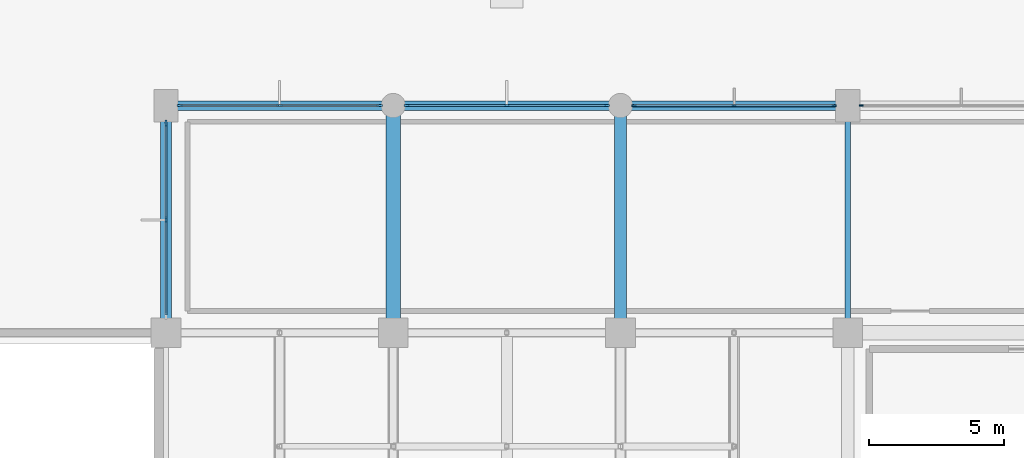
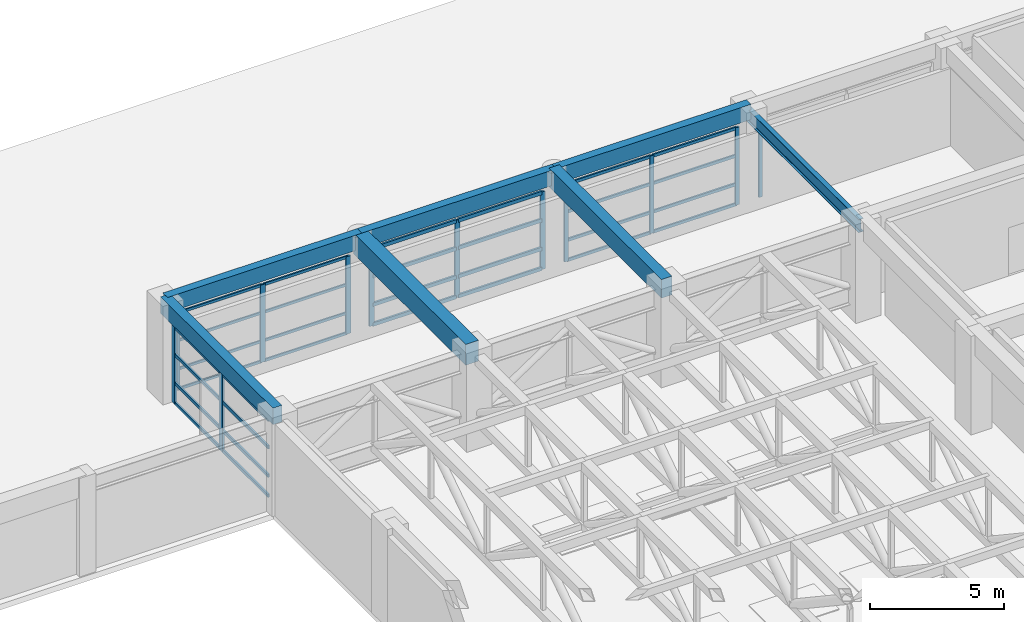
# One storey, part 26 of 47: 44 members, 7 beams, 5 elements without a shape of their own.
"""IFC4 building model written with IfcOpenShell, lengths in metres."""

import ifcopenshell
import ifcopenshell.guid

model = None  # the IFC model being written
_history = None  # IfcOwnerHistory: only IFC2X3 demands one
_inside = {}  # id of a spatial element -> (the spatial element, [elements in it])
_under = {}  # id of a project, library or spatial element -> (it, [spatial elements below it])
_declared = {}  # id of a project -> (the project, [libraries it declares])
_typed = {}  # id of a type object -> (the type object, [elements of that type])
_made_of = {}  # id of a material, layer set ... -> (it, [elements and type objects made of it])


def new_model(schema):
    """Start an empty IFC model of exactly this schema.

    Asked for "IFC4X3", IfcOpenShell would pick the latest addendum, in which some entities
    have other attributes; the version numbers below select the first issue.
    IFC2X3 requires an IfcOwnerHistory on every rooted entity: one is made here for all.
    """
    global model, _history
    if schema == "IFC4X3":
        model = ifcopenshell.file(schema_version=(4, 3, 0, 0))
    else:
        model = ifcopenshell.file(schema=schema)
    _inside.clear()
    _under.clear()
    _declared.clear()
    _typed.clear()
    _made_of.clear()
    _history = None
    if model.schema == "IFC2X3":
        org = make("IfcOrganization", Name="unknown")
        user = make(
            "IfcPersonAndOrganization",
            ThePerson=make("IfcPerson", FamilyName="unknown"),
            TheOrganization=org,
        )
        app = make(
            "IfcApplication",
            ApplicationDeveloper=org,
            Version="unknown",
            ApplicationFullName="unknown",
            ApplicationIdentifier="unknown",
        )
        _history = make(
            "IfcOwnerHistory",
            OwningUser=user,
            OwningApplication=app,
            ChangeAction="ADDED",
            CreationDate=0,
        )
    return model


def make(cls, **values):
    """One entity of the class cls with the attributes given. An attribute that is None is left unset."""
    return model.create_entity(
        cls, **{name: value for name, value in values.items() if value is not None}
    )


def rooted(cls, **values):
    """An entity with a GlobalId (a new one), such as an element, a storey or a relation."""
    return make(cls, GlobalId=ifcopenshell.guid.new(), OwnerHistory=_history, **values)


def si_unit(unit_type, name, prefix=None):
    """IfcSIUnit, for example si_unit("LENGTHUNIT", "METRE", prefix="MILLI")."""
    return make("IfcSIUnit", UnitType=unit_type, Prefix=prefix, Name=name)


def assignment(units):
    """IfcUnitAssignment: the units of a project."""
    return None if units is None else make("IfcUnitAssignment", Units=units)


def point(xyz):
    """IfcCartesianPoint."""
    return None if xyz is None else make("IfcCartesianPoint", Coordinates=xyz)


def direction(xyz):
    """IfcDirection."""
    return None if xyz is None else make("IfcDirection", DirectionRatios=xyz)


def frame(location, z_axis=None, x_axis=None):
    """IfcAxis2Placement3D, a coordinate frame: its origin and axes. An axis left out is left unset."""
    return make(
        "IfcAxis2Placement3D",
        Location=point(location),
        Axis=direction(z_axis),
        RefDirection=direction(x_axis),
    )


def frame_2d(location, x_axis=None):
    """IfcAxis2Placement2D, a coordinate frame in the plane: its origin and x axis."""
    return make(
        "IfcAxis2Placement2D", Location=point(location), RefDirection=direction(x_axis)
    )


def origin():
    """The frame at (0, 0, 0) with its axes left unset."""
    return frame((0.0, 0.0, 0.0))


def origin_2d():
    """The frame at (0, 0) in the plane with its x axis left unset."""
    return frame_2d((0.0, 0.0))


def place(relative_to, where):
    """IfcLocalPlacement: puts the frame where relative to a parent placement (None: the world)."""
    return make(
        "IfcLocalPlacement", PlacementRelTo=relative_to, RelativePlacement=where
    )


def context(
    kind, dimensions, precision=None, world=None, true_north=None, identifier=None
):
    """IfcGeometricRepresentationContext, for example the 3D "Model" context."""
    return make(
        "IfcGeometricRepresentationContext",
        ContextIdentifier=identifier,
        ContextType=kind,
        CoordinateSpaceDimension=dimensions,
        Precision=precision,
        WorldCoordinateSystem=world,
        TrueNorth=true_north,
    )


def subcontext(parent, identifier, kind, view, scale=None):
    """IfcGeometricRepresentationSubContext, for example "Body" below "Model"."""
    return make(
        "IfcGeometricRepresentationSubContext",
        ContextIdentifier=identifier,
        ContextType=kind,
        ParentContext=parent,
        TargetScale=scale,
        TargetView=view,
    )


def project(units=None, contexts=None):
    """IfcProject with its units and contexts."""
    return rooted(
        "IfcProject",
        Name="project",
        RepresentationContexts=contexts,
        UnitsInContext=assignment(units),
    )


def spatial(cls, under=None, at=None, **own):
    """A site, building, storey or space (cls), placed at a placement, below another one or the project."""
    s = rooted(cls, ObjectPlacement=at, **own)
    if under is not None:
        _under.setdefault(under.id(), (under, []))[1].append(s)
    return s


def profile(cls, at=None, kind="AREA", **sizes):
    """A parametric profile (cls). Its sizes go by their IFC names, for example OverallWidth=200.0."""
    return make(cls, ProfileType=kind, Position=at, **sizes)


def rectangle(**sizes):
    """IfcRectangleProfileDef."""
    return profile("IfcRectangleProfileDef", **sizes)


def i_section(**sizes):
    """IfcIShapeProfileDef."""
    return profile("IfcIShapeProfileDef", **sizes)


def extrude(swept, where, along, depth):
    """IfcExtrudedAreaSolid: the profile swept, set in the frame where, extruded along a direction by depth."""
    return make(
        "IfcExtrudedAreaSolid",
        SweptArea=swept,
        Position=where,
        ExtrudedDirection=direction(along),
        Depth=depth,
    )


def shape(context_of_items, identifier, shape_type, items):
    """IfcShapeRepresentation: the items that make up one representation, for example the "Body"."""
    return make(
        "IfcShapeRepresentation",
        ContextOfItems=context_of_items,
        RepresentationIdentifier=identifier,
        RepresentationType=shape_type,
        Items=items,
    )


def material(Name=None, Category=None):
    """IfcMaterial."""
    return make("IfcMaterial", Name=Name, Category=Category)


def material_profile(
    of_material, cross_section, Name=None, Category=None, Priority=None
):
    """IfcMaterialProfile: a cross section and its material."""
    return make(
        "IfcMaterialProfile",
        Name=Name,
        Material=of_material,
        Profile=cross_section,
        Priority=Priority,
        Category=Category,
    )


def profile_set(profiles, Name=None, composite=None):
    """IfcMaterialProfileSet."""
    return make(
        "IfcMaterialProfileSet",
        Name=Name,
        MaterialProfiles=profiles,
        CompositeProfile=composite,
    )


def made_of(thing, what):
    """Note that an element or type object is made of a material, layer set ...; save() writes the relation."""
    if what is not None:
        _made_of.setdefault(what.id(), (what, []))[1].append(thing)
    return thing


def type_object(cls, material=None, **own):
    """A type object (cls), such as IfcWallType, which elements share."""
    return made_of(rooted(cls, **own), material)


def element(
    cls,
    number,
    at=None,
    inside=None,
    cuts=None,
    type_object=None,
    material=None,
    context=None,
    identifier="Body",
    shape_type=None,
    held_by="IfcProductDefinitionShape",
    body=None,
    shapes=None,
    **own,
):
    """One element of the class cls, such as IfcWall. Its Tag is "e" and its number.

    at: its placement. inside: the storey or other place that contains it. cuts: it is an
    opening in that element (IfcRelVoidsElement). A single representation is given by context,
    identifier, shape_type and body (its items); several are given by shapes. held_by: the class
    of the entity that holds the representations. save() writes the other relations.
    """
    e = rooted(cls, Tag="e%d" % number, ObjectPlacement=at, **own)
    if body is not None:
        shapes = [shape(context, identifier, shape_type, body)]
    if shapes is not None:
        e.Representation = make(held_by, Representations=shapes)
    if inside is not None:
        _inside.setdefault(inside.id(), (inside, []))[1].append(e)
    if cuts is not None:
        rooted(
            "IfcRelVoidsElement", RelatingBuildingElement=cuts, RelatedOpeningElement=e
        )
    if type_object is not None:
        _typed.setdefault(type_object.id(), (type_object, []))[1].append(e)
    return made_of(e, material)


def aggregate(whole, parts):
    """IfcRelAggregates: a whole, such as a stair, and the parts it consists of."""
    return rooted("IfcRelAggregates", RelatingObject=whole, RelatedObjects=parts)


def save(model, path):
    """Write the relations noted so far, then the file.

    IfcRelAggregates (storeys below a building ...), IfcRelContainedInSpatialStructure (elements
    in a storey), IfcRelDefinesByType, IfcRelAssociatesMaterial and IfcRelDeclares: one each for
    every whole, place, type object, material and project.
    """
    for whole, parts in _under.values():
        aggregate(whole, parts)
    for where, things in _inside.values():
        rooted(
            "IfcRelContainedInSpatialStructure",
            RelatedElements=things,
            RelatingStructure=where,
        )
    for kind, things in _typed.values():
        rooted("IfcRelDefinesByType", RelatedObjects=things, RelatingType=kind)
    for what, things in _made_of.values():
        rooted("IfcRelAssociatesMaterial", RelatedObjects=things, RelatingMaterial=what)
    for by, libraries in _declared.values():
        rooted("IfcRelDeclares", RelatingContext=by, RelatedDefinitions=libraries)
    model.write(path)


model = new_model("IFC4")

# Units and contexts
model_context = context("Model", 3, precision=1e-05, world=origin(), true_north=direction((0.0, 1.0)))
body_context = subcontext(model_context, "Body", "Model", "MODEL_VIEW")
ifc_project = project(units=[si_unit("LENGTHUNIT", "METRE"), si_unit("AREAUNIT", "SQUARE_METRE"), si_unit("VOLUMEUNIT", "CUBIC_METRE"), si_unit("PLANEANGLEUNIT", "RADIAN"), si_unit("MASSUNIT", "GRAM", prefix="KILO")], contexts=[model_context])

# Site, building, storey
site_placement = place(None, origin())
site = spatial("IfcSite", under=ifc_project, at=site_placement, CompositionType="ELEMENT")
building_placement = place(site_placement, origin())
building = spatial("IfcBuilding", under=site, at=building_placement, Name="Xuanlan Plaza Opera House", CompositionType="ELEMENT")
storey_placement = place(building_placement, frame((0.0, 0.0, 23.39990234375)))
storey = spatial("IfcBuildingStorey", under=building, at=storey_placement, Name="L05", CompositionType="ELEMENT", Elevation=23.39990234375)

# Curtain wall, member
ifc_material_1 = material(Name="Anodised Aluminium 6063-T6 and Low-E Glass", Category="aluminium")
curtain_wall_type_1 = type_object("IfcCurtainWallType", Name="ENV-CW-CW-06", PredefinedType="USERDEFINED", material=ifc_material_1)
curtain_wall_1_placement = place(storey_placement, origin())
curtain_wall_1 = element("IfcCurtainWall", 1, at=curtain_wall_1_placement, inside=storey, type_object=curtain_wall_type_1, Name="Acoustic Glazed Wall L05-029", ObjectType="ACOUSTIC GLAZED WALL", PredefinedType="USERDEFINED")
ifc_material_2 = material(Name="Anodised Aluminium 6063-T6", Category="aluminium")
ifc_material_profile_1 = material_profile(ifc_material_2, rectangle(XDim=0.06494140625, YDim=0.159912109375, at=origin_2d()), Name="ALU-M 65x160")
ifc_profile_set_1 = profile_set([ifc_material_profile_1], Name="Anodised Aluminium 6063-T6")
member_type_1 = type_object("IfcMemberType", Name="ENV-CWM-01", PredefinedType="MULLION", material=ifc_profile_set_1)
member_1_placement = place(storey_placement, frame((92.902587890625, 84.0, 0.0), z_axis=(0.0, 0.0, 1.0), x_axis=(0.0, -1.0, 0.0)))
member_1 = element("IfcMember", 2, at=member_1_placement, type_object=member_type_1, Name="CW-06 mullion 3", PredefinedType="MULLION", context=body_context, shape_type="SweptSolid", body=[
    extrude(rectangle(XDim=0.06494140625, YDim=0.159912109375, at=origin_2d()), origin(), (0.0, 0.0, 1.0), 3.5400390625),
])
aggregate(curtain_wall_1, [member_1])

# Curtain wall, members
curtain_wall_type_2 = type_object("IfcCurtainWallType", Name="ENV-CW-CW-05", PredefinedType="USERDEFINED", material=ifc_material_1)
curtain_wall_2_placement = place(storey_placement, origin())
curtain_wall_2 = element("IfcCurtainWall", 3, at=curtain_wall_2_placement, inside=storey, type_object=curtain_wall_type_2, Name="Acoustic Glazed Wall L05-030", ObjectType="ACOUSTIC GLAZED WALL", PredefinedType="USERDEFINED")
ifc_material_profile_2 = material_profile(ifc_material_2, rectangle(XDim=0.070068359375, YDim=0.179931640625, at=origin_2d()), Name="ALU-M 70x180")
ifc_profile_set_2 = profile_set([ifc_material_profile_2], Name="Anodised Aluminium 6063-T6")
member_type_2 = type_object("IfcMemberType", Name="ENV-CWM-02", PredefinedType="MULLION", material=ifc_profile_set_2)
member_2_placement = place(storey_placement, frame((91.89501953125, 84.0, 0.0), z_axis=(0.0, 0.0, 1.0), x_axis=(0.0, -1.0, 0.0)))
member_2 = element("IfcMember", 4, at=member_2_placement, type_object=member_type_2, Name="CW-05 mullion 1", PredefinedType="MULLION", context=body_context, shape_type="SweptSolid", body=[
    extrude(rectangle(XDim=0.070068359375, YDim=0.179931640625, at=origin_2d()), origin(), (0.0, 0.0, 1.0), 3.5400390625),
])
member_3_placement = place(storey_placement, frame((88.199951171875, 84.0, 0.0), z_axis=(0.0, 0.0, 1.0), x_axis=(0.0, -1.0, 0.0)))
member_3 = element("IfcMember", 5, at=member_3_placement, type_object=member_type_2, Name="CW-05 mullion 2", PredefinedType="MULLION", context=body_context, shape_type="SweptSolid", body=[
    extrude(rectangle(XDim=0.070068359375, YDim=0.179931640625, at=origin_2d()), origin(), (0.0, 0.0, 1.0), 3.5400390625),
])
member_4_placement = place(storey_placement, frame((84.5048828125, 84.0, 0.0), z_axis=(0.0, 0.0, 1.0), x_axis=(0.0, -1.0, 0.0)))
member_4 = element("IfcMember", 6, at=member_4_placement, type_object=member_type_2, Name="CW-05 mullion 3", PredefinedType="MULLION", context=body_context, shape_type="SweptSolid", body=[
    extrude(rectangle(XDim=0.070068359375, YDim=0.179931640625, at=origin_2d()), origin(), (0.0, 0.0, 1.0), 3.5400390625),
])

curtain_wall_3_placement = place(storey_placement, origin())
curtain_wall_3 = element("IfcCurtainWall", 7, at=curtain_wall_3_placement, inside=storey, type_object=curtain_wall_type_1, Name="Acoustic Glazed Wall L05-031", ObjectType="ACOUSTIC GLAZED WALL", PredefinedType="USERDEFINED")
ifc_material_profile_3 = material_profile(ifc_material_2, rectangle(XDim=0.074951171875, YDim=0.199951171875, at=origin_2d()), Name="ALU-M 75x200")
ifc_profile_set_3 = profile_set([ifc_material_profile_3], Name="Anodised Aluminium 6063-T6")
member_type_3 = type_object("IfcMemberType", Name="ENV-CWM-03", PredefinedType="MULLION", material=ifc_profile_set_3)
member_5_placement = place(storey_placement, frame((83.492431640625, 84.0, 0.0), z_axis=(0.0, 0.0, 1.0), x_axis=(0.0, -1.0, 0.0)))
member_5 = element("IfcMember", 8, at=member_5_placement, type_object=member_type_3, Name="CW-06 mullion 1", PredefinedType="MULLION", context=body_context, shape_type="SweptSolid", body=[
    extrude(rectangle(XDim=0.074951171875, YDim=0.199951171875, at=origin_2d()), origin(), (0.0, 0.0, 1.0), 3.5400390625),
])
member_6_placement = place(storey_placement, frame((79.800048828125, 84.0, 0.0), z_axis=(0.0, 0.0, 1.0), x_axis=(0.0, -1.0, 0.0)))
member_6 = element("IfcMember", 9, at=member_6_placement, type_object=member_type_3, Name="CW-06 mullion 2", PredefinedType="MULLION", context=body_context, shape_type="SweptSolid", body=[
    extrude(rectangle(XDim=0.074951171875, YDim=0.199951171875, at=origin_2d()), origin(), (0.0, 0.0, 1.0), 3.5400390625),
])
member_7_placement = place(storey_placement, frame((76.107421875, 84.0, 0.0), z_axis=(0.0, 0.0, 1.0), x_axis=(0.0, -1.0, 0.0)))
member_7 = element("IfcMember", 10, at=member_7_placement, type_object=member_type_3, Name="CW-06 mullion 3", PredefinedType="MULLION", context=body_context, shape_type="SweptSolid", body=[
    extrude(rectangle(XDim=0.074951171875, YDim=0.199951171875, at=origin_2d()), origin(), (0.0, 0.0, 1.0), 3.5400390625),
])

curtain_wall_4_placement = place(storey_placement, origin())
curtain_wall_4 = element("IfcCurtainWall", 11, at=curtain_wall_4_placement, inside=storey, type_object=curtain_wall_type_2, Name="Acoustic Glazed Wall L05-032", ObjectType="ACOUSTIC GLAZED WALL", PredefinedType="USERDEFINED")
ifc_material_profile_4 = material_profile(ifc_material_2, rectangle(XDim=0.080078125, YDim=0.219970703125, at=origin_2d()), Name="ALU-M 80x220")
ifc_profile_set_4 = profile_set([ifc_material_profile_4], Name="Anodised Aluminium 6063-T6")
member_type_4 = type_object("IfcMemberType", Name="ENV-CWM-04", PredefinedType="MULLION", material=ifc_profile_set_4)
member_8_placement = place(storey_placement, frame((75.090087890625, 84.0, 0.0), z_axis=(0.0, 0.0, 1.0), x_axis=(0.0, -1.0, 0.0)))
member_8 = element("IfcMember", 12, at=member_8_placement, type_object=member_type_4, Name="CW-05 mullion 1", PredefinedType="MULLION", context=body_context, shape_type="SweptSolid", body=[
    extrude(rectangle(XDim=0.080078125, YDim=0.219970703125, at=origin_2d()), origin(), (0.0, 0.0, 1.0), 3.5400390625),
])
member_9_placement = place(storey_placement, frame((71.39990234375, 84.0, 0.0), z_axis=(0.0, 0.0, 1.0), x_axis=(0.0, -1.0, 0.0)))
member_9 = element("IfcMember", 13, at=member_9_placement, type_object=member_type_4, Name="CW-05 mullion 2", PredefinedType="MULLION", context=body_context, shape_type="SweptSolid", body=[
    extrude(rectangle(XDim=0.080078125, YDim=0.219970703125, at=origin_2d()), origin(), (0.0, 0.0, 1.0), 3.5400390625),
])
member_10_placement = place(storey_placement, frame((67.7099609375, 84.0, 0.0), z_axis=(0.0, 0.0, 1.0), x_axis=(0.0, -1.0, 0.0)))
member_10 = element("IfcMember", 14, at=member_10_placement, type_object=member_type_4, Name="CW-05 mullion 3", PredefinedType="MULLION", context=body_context, shape_type="SweptSolid", body=[
    extrude(rectangle(XDim=0.080078125, YDim=0.219970703125, at=origin_2d()), origin(), (0.0, 0.0, 1.0), 3.5400390625),
])

curtain_wall_5_placement = place(storey_placement, origin())
curtain_wall_5 = element("IfcCurtainWall", 15, at=curtain_wall_5_placement, inside=storey, type_object=curtain_wall_type_1, Name="Acoustic Glazed Wall L05-033", ObjectType="ACOUSTIC GLAZED WALL", PredefinedType="USERDEFINED")
ifc_material_profile_5 = material_profile(ifc_material_2, rectangle(XDim=0.090087890625, YDim=0.25, at=origin_2d()), Name="ALU-M 90x250")
ifc_profile_set_5 = profile_set([ifc_material_profile_5], Name="Anodised Aluminium 6063-T6")
member_type_5 = type_object("IfcMemberType", Name="ENV-CWM-05", PredefinedType="MULLION", material=ifc_profile_set_5)
member_11_placement = place(storey_placement, frame((67.199951171875, 83.3349609375, 0.0), z_axis=(0.0, 0.0, 1.0), x_axis=(1.0, 0.0, 0.0)))
member_11 = element("IfcMember", 16, at=member_11_placement, type_object=member_type_5, Name="CW-06 mullion 1", PredefinedType="MULLION", context=body_context, shape_type="SweptSolid", body=[
    extrude(rectangle(XDim=0.090087890625, YDim=0.25, at=origin_2d()), origin(), (0.0, 0.0, 1.0), 3.5400390625),
])
member_12_placement = place(storey_placement, frame((67.199951171875, 79.77490234375, 0.0), z_axis=(0.0, 0.0, 1.0), x_axis=(1.0, 0.0, 0.0)))
member_12 = element("IfcMember", 17, at=member_12_placement, type_object=member_type_5, Name="CW-06 mullion 2", PredefinedType="MULLION", context=body_context, shape_type="SweptSolid", body=[
    extrude(rectangle(XDim=0.090087890625, YDim=0.25, at=origin_2d()), origin(), (0.0, 0.0, 1.0), 3.5400390625),
])

# Member
ifc_material_profile_6 = material_profile(ifc_material_2, rectangle(XDim=0.06494140625, YDim=0.1201171875, at=origin_2d()), Name="ALU-T 65x120")
ifc_profile_set_6 = profile_set([ifc_material_profile_6], Name="Anodised Aluminium 6063-T6")
member_type_6 = type_object("IfcMemberType", Name="ENV-CWT-01", PredefinedType="USERDEFINED", material=ifc_profile_set_6)
member_13_placement = place(storey_placement, frame((75.050048828125, 84.0, 0.03271484375), z_axis=(-1.0, 0.0, 0.0), x_axis=(0.0, -1.0, 0.0)))
member_13 = element("IfcMember", 18, at=member_13_placement, type_object=member_type_6, Name="CW-05 transom 1.1", ObjectType="TRANSOM", PredefinedType="USERDEFINED", context=body_context, shape_type="SweptSolid", body=[
    extrude(rectangle(XDim=0.06494140625, YDim=0.1201171875, at=origin_2d()), origin(), (0.0, 0.0, 1.0), 3.610107421875),
])

member_14_placement = place(storey_placement, frame((75.050048828125, 84.0, 0.9501953125), z_axis=(-1.0, 0.0, 0.0), x_axis=(0.0, -1.0, 0.0)))
member_14 = element("IfcMember", 19, at=member_14_placement, type_object=member_type_6, Name="CW-05 transom 1.2", ObjectType="TRANSOM", PredefinedType="USERDEFINED", context=body_context, shape_type="SweptSolid", body=[
    extrude(rectangle(XDim=0.06494140625, YDim=0.1201171875, at=origin_2d()), origin(), (0.0, 0.0, 1.0), 3.610107421875),
])

member_15_placement = place(storey_placement, frame((75.050048828125, 84.0, 2.25), z_axis=(-1.0, 0.0, 0.0), x_axis=(0.0, -1.0, 0.0)))
member_15 = element("IfcMember", 20, at=member_15_placement, type_object=member_type_6, Name="CW-05 transom 1.3", ObjectType="TRANSOM", PredefinedType="USERDEFINED", context=body_context, shape_type="SweptSolid", body=[
    extrude(rectangle(XDim=0.06494140625, YDim=0.1201171875, at=origin_2d()), origin(), (0.0, 0.0, 1.0), 3.610107421875),
])

member_16_placement = place(storey_placement, frame((75.050048828125, 84.0, 3.507568359375), z_axis=(-1.0, 0.0, 0.0), x_axis=(0.0, -1.0, 0.0)))
member_16 = element("IfcMember", 21, at=member_16_placement, type_object=member_type_6, Name="CW-05 transom 1.4", ObjectType="TRANSOM", PredefinedType="USERDEFINED", context=body_context, shape_type="SweptSolid", body=[
    extrude(rectangle(XDim=0.06494140625, YDim=0.1201171875, at=origin_2d()), origin(), (0.0, 0.0, 1.0), 3.610107421875),
])

member_17_placement = place(storey_placement, frame((71.360107421875, 84.0, 0.03271484375), z_axis=(-1.0, 0.0, 0.0), x_axis=(0.0, -1.0, 0.0)))
member_17 = element("IfcMember", 22, at=member_17_placement, type_object=member_type_6, Name="CW-05 transom 2.1", ObjectType="TRANSOM", PredefinedType="USERDEFINED", context=body_context, shape_type="SweptSolid", body=[
    extrude(rectangle(XDim=0.06494140625, YDim=0.1201171875, at=origin_2d()), origin(), (0.0, 0.0, 1.0), 3.610107421875),
])

member_18_placement = place(storey_placement, frame((71.360107421875, 84.0, 0.9501953125), z_axis=(-1.0, 0.0, 0.0), x_axis=(0.0, -1.0, 0.0)))
member_18 = element("IfcMember", 23, at=member_18_placement, type_object=member_type_6, Name="CW-05 transom 2.2", ObjectType="TRANSOM", PredefinedType="USERDEFINED", context=body_context, shape_type="SweptSolid", body=[
    extrude(rectangle(XDim=0.06494140625, YDim=0.1201171875, at=origin_2d()), origin(), (0.0, 0.0, 1.0), 3.610107421875),
])

member_19_placement = place(storey_placement, frame((71.360107421875, 84.0, 2.25), z_axis=(-1.0, 0.0, 0.0), x_axis=(0.0, -1.0, 0.0)))
member_19 = element("IfcMember", 24, at=member_19_placement, type_object=member_type_6, Name="CW-05 transom 2.3", ObjectType="TRANSOM", PredefinedType="USERDEFINED", context=body_context, shape_type="SweptSolid", body=[
    extrude(rectangle(XDim=0.06494140625, YDim=0.1201171875, at=origin_2d()), origin(), (0.0, 0.0, 1.0), 3.610107421875),
])

member_20_placement = place(storey_placement, frame((71.360107421875, 84.0, 3.507568359375), z_axis=(-1.0, 0.0, 0.0), x_axis=(0.0, -1.0, 0.0)))
member_20 = element("IfcMember", 25, at=member_20_placement, type_object=member_type_6, Name="CW-05 transom 2.4", ObjectType="TRANSOM", PredefinedType="USERDEFINED", context=body_context, shape_type="SweptSolid", body=[
    extrude(rectangle(XDim=0.06494140625, YDim=0.1201171875, at=origin_2d()), origin(), (0.0, 0.0, 1.0), 3.610107421875),
])

aggregate(curtain_wall_4, [member_8, member_9, member_10, member_13, member_14, member_15, member_16, member_17, member_18, member_19, member_20])

ifc_material_profile_7 = material_profile(ifc_material_2, rectangle(XDim=0.070068359375, YDim=0.135009765625, at=origin_2d()), Name="ALU-T 70x135")
ifc_profile_set_7 = profile_set([ifc_material_profile_7], Name="Anodised Aluminium 6063-T6")
member_type_7 = type_object("IfcMemberType", Name="ENV-CWT-02", PredefinedType="USERDEFINED", material=ifc_profile_set_7)
member_21_placement = place(storey_placement, frame((91.860107421875, 84.0, 0.03515625), z_axis=(-1.0, 0.0, 0.0), x_axis=(0.0, -1.0, 0.0)))
member_21 = element("IfcMember", 26, at=member_21_placement, type_object=member_type_7, Name="CW-05 transom 1.1", ObjectType="TRANSOM", PredefinedType="USERDEFINED", context=body_context, shape_type="SweptSolid", body=[
    extrude(rectangle(XDim=0.070068359375, YDim=0.135009765625, at=origin_2d()), origin(), (0.0, 0.0, 1.0), 3.625),
])

member_22_placement = place(storey_placement, frame((91.860107421875, 84.0, 0.9501953125), z_axis=(-1.0, 0.0, 0.0), x_axis=(0.0, -1.0, 0.0)))
member_22 = element("IfcMember", 27, at=member_22_placement, type_object=member_type_7, Name="CW-05 transom 1.2", ObjectType="TRANSOM", PredefinedType="USERDEFINED", context=body_context, shape_type="SweptSolid", body=[
    extrude(rectangle(XDim=0.070068359375, YDim=0.135009765625, at=origin_2d()), origin(), (0.0, 0.0, 1.0), 3.625),
])

member_23_placement = place(storey_placement, frame((91.860107421875, 84.0, 2.25), z_axis=(-1.0, 0.0, 0.0), x_axis=(0.0, -1.0, 0.0)))
member_23 = element("IfcMember", 28, at=member_23_placement, type_object=member_type_7, Name="CW-05 transom 1.3", ObjectType="TRANSOM", PredefinedType="USERDEFINED", context=body_context, shape_type="SweptSolid", body=[
    extrude(rectangle(XDim=0.070068359375, YDim=0.135009765625, at=origin_2d()), origin(), (0.0, 0.0, 1.0), 3.625),
])

member_24_placement = place(storey_placement, frame((91.860107421875, 84.0, 3.505126953125), z_axis=(-1.0, 0.0, 0.0), x_axis=(0.0, -1.0, 0.0)))
member_24 = element("IfcMember", 29, at=member_24_placement, type_object=member_type_7, Name="CW-05 transom 1.4", ObjectType="TRANSOM", PredefinedType="USERDEFINED", context=body_context, shape_type="SweptSolid", body=[
    extrude(rectangle(XDim=0.070068359375, YDim=0.135009765625, at=origin_2d()), origin(), (0.0, 0.0, 1.0), 3.625),
])

member_25_placement = place(storey_placement, frame((88.1650390625, 84.0, 0.03515625), z_axis=(-1.0, 0.0, 0.0), x_axis=(0.0, -1.0, 0.0)))
member_25 = element("IfcMember", 30, at=member_25_placement, type_object=member_type_7, Name="CW-05 transom 2.1", ObjectType="TRANSOM", PredefinedType="USERDEFINED", context=body_context, shape_type="SweptSolid", body=[
    extrude(rectangle(XDim=0.070068359375, YDim=0.135009765625, at=origin_2d()), origin(), (0.0, 0.0, 1.0), 3.625),
])

member_26_placement = place(storey_placement, frame((88.1650390625, 84.0, 0.9501953125), z_axis=(-1.0, 0.0, 0.0), x_axis=(0.0, -1.0, 0.0)))
member_26 = element("IfcMember", 31, at=member_26_placement, type_object=member_type_7, Name="CW-05 transom 2.2", ObjectType="TRANSOM", PredefinedType="USERDEFINED", context=body_context, shape_type="SweptSolid", body=[
    extrude(rectangle(XDim=0.070068359375, YDim=0.135009765625, at=origin_2d()), origin(), (0.0, 0.0, 1.0), 3.625),
])

member_27_placement = place(storey_placement, frame((88.1650390625, 84.0, 2.25), z_axis=(-1.0, 0.0, 0.0), x_axis=(0.0, -1.0, 0.0)))
member_27 = element("IfcMember", 32, at=member_27_placement, type_object=member_type_7, Name="CW-05 transom 2.3", ObjectType="TRANSOM", PredefinedType="USERDEFINED", context=body_context, shape_type="SweptSolid", body=[
    extrude(rectangle(XDim=0.070068359375, YDim=0.135009765625, at=origin_2d()), origin(), (0.0, 0.0, 1.0), 3.625),
])

member_28_placement = place(storey_placement, frame((88.1650390625, 84.0, 3.505126953125), z_axis=(-1.0, 0.0, 0.0), x_axis=(0.0, -1.0, 0.0)))
member_28 = element("IfcMember", 33, at=member_28_placement, type_object=member_type_7, Name="CW-05 transom 2.4", ObjectType="TRANSOM", PredefinedType="USERDEFINED", context=body_context, shape_type="SweptSolid", body=[
    extrude(rectangle(XDim=0.070068359375, YDim=0.135009765625, at=origin_2d()), origin(), (0.0, 0.0, 1.0), 3.625),
])

aggregate(curtain_wall_2, [member_2, member_3, member_4, member_21, member_22, member_23, member_24, member_25, member_26, member_27, member_28])

ifc_material_profile_8 = material_profile(ifc_material_2, rectangle(XDim=0.074951171875, YDim=0.14990234375, at=origin_2d()), Name="ALU-T 75x150")
ifc_profile_set_8 = profile_set([ifc_material_profile_8], Name="Anodised Aluminium 6063-T6")
member_type_8 = type_object("IfcMemberType", Name="ENV-CWT-03", PredefinedType="USERDEFINED", material=ifc_profile_set_8)
member_29_placement = place(storey_placement, frame((67.199951171875, 83.2900390625, 0.03759765625), z_axis=(0.0, -1.0, 0.0), x_axis=(1.0, 0.0, 0.0)))
member_29 = element("IfcMember", 34, at=member_29_placement, type_object=member_type_8, Name="CW-06 transom 1.1", ObjectType="TRANSOM", PredefinedType="USERDEFINED", context=body_context, shape_type="SweptSolid", body=[
    extrude(rectangle(XDim=0.074951171875, YDim=0.14990234375, at=origin_2d()), origin(), (0.0, 0.0, 1.0), 3.469970703125),
])

member_30_placement = place(storey_placement, frame((67.199951171875, 83.2900390625, 0.9501953125), z_axis=(0.0, -1.0, 0.0), x_axis=(1.0, 0.0, 0.0)))
member_30 = element("IfcMember", 35, at=member_30_placement, type_object=member_type_8, Name="CW-06 transom 1.2", ObjectType="TRANSOM", PredefinedType="USERDEFINED", context=body_context, shape_type="SweptSolid", body=[
    extrude(rectangle(XDim=0.074951171875, YDim=0.14990234375, at=origin_2d()), origin(), (0.0, 0.0, 1.0), 3.469970703125),
])

member_31_placement = place(storey_placement, frame((67.199951171875, 83.2900390625, 2.25), z_axis=(0.0, -1.0, 0.0), x_axis=(1.0, 0.0, 0.0)))
member_31 = element("IfcMember", 36, at=member_31_placement, type_object=member_type_8, Name="CW-06 transom 1.3", ObjectType="TRANSOM", PredefinedType="USERDEFINED", context=body_context, shape_type="SweptSolid", body=[
    extrude(rectangle(XDim=0.074951171875, YDim=0.14990234375, at=origin_2d()), origin(), (0.0, 0.0, 1.0), 3.469970703125),
])

member_32_placement = place(storey_placement, frame((67.199951171875, 83.2900390625, 3.502685546875), z_axis=(0.0, -1.0, 0.0), x_axis=(1.0, 0.0, 0.0)))
member_32 = element("IfcMember", 37, at=member_32_placement, type_object=member_type_8, Name="CW-06 transom 1.4", ObjectType="TRANSOM", PredefinedType="USERDEFINED", context=body_context, shape_type="SweptSolid", body=[
    extrude(rectangle(XDim=0.074951171875, YDim=0.14990234375, at=origin_2d()), origin(), (0.0, 0.0, 1.0), 3.469970703125),
])

member_33_placement = place(storey_placement, frame((67.199951171875, 79.72998046875, 0.03759765625), z_axis=(0.0, -1.0, 0.0), x_axis=(1.0, 0.0, 0.0)))
member_33 = element("IfcMember", 38, at=member_33_placement, type_object=member_type_8, Name="CW-06 transom 2.1", ObjectType="TRANSOM", PredefinedType="USERDEFINED", context=body_context, shape_type="SweptSolid", body=[
    extrude(rectangle(XDim=0.074951171875, YDim=0.14990234375, at=origin_2d()), origin(), (0.0, 0.0, 1.0), 3.469970703125),
])

member_34_placement = place(storey_placement, frame((67.199951171875, 79.72998046875, 0.9501953125), z_axis=(0.0, -1.0, 0.0), x_axis=(1.0, 0.0, 0.0)))
member_34 = element("IfcMember", 39, at=member_34_placement, type_object=member_type_8, Name="CW-06 transom 2.2", ObjectType="TRANSOM", PredefinedType="USERDEFINED", context=body_context, shape_type="SweptSolid", body=[
    extrude(rectangle(XDim=0.074951171875, YDim=0.14990234375, at=origin_2d()), origin(), (0.0, 0.0, 1.0), 3.469970703125),
])

member_35_placement = place(storey_placement, frame((67.199951171875, 79.72998046875, 2.25), z_axis=(0.0, -1.0, 0.0), x_axis=(1.0, 0.0, 0.0)))
member_35 = element("IfcMember", 40, at=member_35_placement, type_object=member_type_8, Name="CW-06 transom 2.3", ObjectType="TRANSOM", PredefinedType="USERDEFINED", context=body_context, shape_type="SweptSolid", body=[
    extrude(rectangle(XDim=0.074951171875, YDim=0.14990234375, at=origin_2d()), origin(), (0.0, 0.0, 1.0), 3.469970703125),
])

member_36_placement = place(storey_placement, frame((67.199951171875, 79.72998046875, 3.502685546875), z_axis=(0.0, -1.0, 0.0), x_axis=(1.0, 0.0, 0.0)))
member_36 = element("IfcMember", 41, at=member_36_placement, type_object=member_type_8, Name="CW-06 transom 2.4", ObjectType="TRANSOM", PredefinedType="USERDEFINED", context=body_context, shape_type="SweptSolid", body=[
    extrude(rectangle(XDim=0.074951171875, YDim=0.14990234375, at=origin_2d()), origin(), (0.0, 0.0, 1.0), 3.469970703125),
])

aggregate(curtain_wall_5, [member_11, member_12, member_29, member_30, member_31, member_32, member_33, member_34, member_35, member_36])

ifc_material_profile_9 = material_profile(ifc_material_2, rectangle(XDim=0.080078125, YDim=0.1650390625, at=origin_2d()), Name="ALU-T 80x165")
ifc_profile_set_9 = profile_set([ifc_material_profile_9], Name="Anodised Aluminium 6063-T6")
member_type_9 = type_object("IfcMemberType", Name="ENV-CWT-04", PredefinedType="USERDEFINED", material=ifc_profile_set_9)
member_37_placement = place(storey_placement, frame((83.455078125, 84.0, 0.0400390625), z_axis=(-1.0, 0.0, 0.0), x_axis=(0.0, -1.0, 0.0)))
member_37 = element("IfcMember", 42, at=member_37_placement, type_object=member_type_9, Name="CW-06 transom 1.1", ObjectType="TRANSOM", PredefinedType="USERDEFINED", context=body_context, shape_type="SweptSolid", body=[
    extrude(rectangle(XDim=0.080078125, YDim=0.1650390625, at=origin_2d()), origin(), (0.0, 0.0, 1.0), 3.61767578125),
])

member_38_placement = place(storey_placement, frame((83.455078125, 84.0, 0.9501953125), z_axis=(-1.0, 0.0, 0.0), x_axis=(0.0, -1.0, 0.0)))
member_38 = element("IfcMember", 43, at=member_38_placement, type_object=member_type_9, Name="CW-06 transom 1.2", ObjectType="TRANSOM", PredefinedType="USERDEFINED", context=body_context, shape_type="SweptSolid", body=[
    extrude(rectangle(XDim=0.080078125, YDim=0.1650390625, at=origin_2d()), origin(), (0.0, 0.0, 1.0), 3.61767578125),
])

member_39_placement = place(storey_placement, frame((83.455078125, 84.0, 2.25), z_axis=(-1.0, 0.0, 0.0), x_axis=(0.0, -1.0, 0.0)))
member_39 = element("IfcMember", 44, at=member_39_placement, type_object=member_type_9, Name="CW-06 transom 1.3", ObjectType="TRANSOM", PredefinedType="USERDEFINED", context=body_context, shape_type="SweptSolid", body=[
    extrude(rectangle(XDim=0.080078125, YDim=0.1650390625, at=origin_2d()), origin(), (0.0, 0.0, 1.0), 3.61767578125),
])

member_40_placement = place(storey_placement, frame((83.455078125, 84.0, 3.5), z_axis=(-1.0, 0.0, 0.0), x_axis=(0.0, -1.0, 0.0)))
member_40 = element("IfcMember", 45, at=member_40_placement, type_object=member_type_9, Name="CW-06 transom 1.4", ObjectType="TRANSOM", PredefinedType="USERDEFINED", context=body_context, shape_type="SweptSolid", body=[
    extrude(rectangle(XDim=0.080078125, YDim=0.1650390625, at=origin_2d()), origin(), (0.0, 0.0, 1.0), 3.61767578125),
])

member_41_placement = place(storey_placement, frame((79.762451171875, 84.0, 0.0400390625), z_axis=(-1.0, 0.0, 0.0), x_axis=(0.0, -1.0, 0.0)))
member_41 = element("IfcMember", 46, at=member_41_placement, type_object=member_type_9, Name="CW-06 transom 2.1", ObjectType="TRANSOM", PredefinedType="USERDEFINED", context=body_context, shape_type="SweptSolid", body=[
    extrude(rectangle(XDim=0.080078125, YDim=0.1650390625, at=origin_2d()), origin(), (0.0, 0.0, 1.0), 3.617431640625),
])

member_42_placement = place(storey_placement, frame((79.762451171875, 84.0, 0.9501953125), z_axis=(-1.0, 0.0, 0.0), x_axis=(0.0, -1.0, 0.0)))
member_42 = element("IfcMember", 47, at=member_42_placement, type_object=member_type_9, Name="CW-06 transom 2.2", ObjectType="TRANSOM", PredefinedType="USERDEFINED", context=body_context, shape_type="SweptSolid", body=[
    extrude(rectangle(XDim=0.080078125, YDim=0.1650390625, at=origin_2d()), origin(), (0.0, 0.0, 1.0), 3.617431640625),
])

member_43_placement = place(storey_placement, frame((79.762451171875, 84.0, 2.25), z_axis=(-1.0, 0.0, 0.0), x_axis=(0.0, -1.0, 0.0)))
member_43 = element("IfcMember", 48, at=member_43_placement, type_object=member_type_9, Name="CW-06 transom 2.3", ObjectType="TRANSOM", PredefinedType="USERDEFINED", context=body_context, shape_type="SweptSolid", body=[
    extrude(rectangle(XDim=0.080078125, YDim=0.1650390625, at=origin_2d()), origin(), (0.0, 0.0, 1.0), 3.617431640625),
])

member_44_placement = place(storey_placement, frame((79.762451171875, 84.0, 3.5), z_axis=(-1.0, 0.0, 0.0), x_axis=(0.0, -1.0, 0.0)))
member_44 = element("IfcMember", 49, at=member_44_placement, type_object=member_type_9, Name="CW-06 transom 2.4", ObjectType="TRANSOM", PredefinedType="USERDEFINED", context=body_context, shape_type="SweptSolid", body=[
    extrude(rectangle(XDim=0.080078125, YDim=0.1650390625, at=origin_2d()), origin(), (0.0, 0.0, 1.0), 3.617431640625),
])

aggregate(curtain_wall_3, [member_5, member_6, member_7, member_37, member_38, member_39, member_40, member_41, member_42, member_43, member_44])

# Beams
ifc_material_3 = material(Name="Concrete C50", Category="concrete")
ifc_material_profile_10 = material_profile(ifc_material_3, rectangle(XDim=0.550048828125, YDim=0.949951171875, at=origin_2d()), Name="RC-BM 550x950")
ifc_profile_set_10 = profile_set([ifc_material_profile_10], Name="Concrete C50")
beam_type_1 = type_object("IfcBeamType", Name="STR-BM-B-02", PredefinedType="BEAM", material=ifc_profile_set_10)
beam_1_placement = place(storey_placement, frame((75.60009765625, 75.60009765625, 4.025146484375), z_axis=(0.0, 1.0, 0.0), x_axis=(-1.0, 0.0, 0.0)))
element("IfcBeam", 50, at=beam_1_placement, inside=storey, type_object=beam_type_1, Name="Grid Beam Y L05 10/J-K", PredefinedType="BEAM", context=body_context, shape_type="SweptSolid", body=[
    extrude(rectangle(XDim=0.550048828125, YDim=0.949951171875, at=origin_2d()), origin(), (0.0, 0.0, 1.0), 8.39990234375),
])
ifc_material_4 = material(Name="Concrete C40", Category="concrete")
ifc_material_profile_11 = material_profile(ifc_material_4, rectangle(XDim=0.449951171875, YDim=0.85009765625, at=origin_2d()), Name="RC-BM 450x850")
ifc_profile_set_11 = profile_set([ifc_material_profile_11], Name="Concrete C40")
beam_type_2 = type_object("IfcBeamType", Name="STR-BM-B-04", PredefinedType="BEAM", material=ifc_profile_set_11)
beam_2_placement = place(storey_placement, frame((84.0, 75.60009765625, 4.0751953125), z_axis=(0.0, 1.0, 0.0), x_axis=(-1.0, 0.0, 0.0)))
element("IfcBeam", 51, at=beam_2_placement, inside=storey, type_object=beam_type_2, Name="Grid Beam Y L05 11/J-K", PredefinedType="BEAM", context=body_context, shape_type="SweptSolid", body=[
    extrude(rectangle(XDim=0.449951171875, YDim=0.85009765625, at=origin_2d()), origin(), (0.0, 0.0, 1.0), 8.39990234375),
])
ifc_material_profile_12 = material_profile(ifc_material_4, rectangle(XDim=0.39990234375, YDim=0.75, at=origin_2d()), Name="RC-BM 400x750")
ifc_profile_set_12 = profile_set([ifc_material_profile_12], Name="Concrete C40")
beam_type_3 = type_object("IfcBeamType", Name="STR-BM-B-06", PredefinedType="BEAM", material=ifc_profile_set_12)
beam_3_placement = place(storey_placement, frame((67.199951171875, 75.60009765625, 4.125), z_axis=(0.0, 1.0, 0.0), x_axis=(-1.0, 0.0, 0.0)))
element("IfcBeam", 52, at=beam_3_placement, inside=storey, type_object=beam_type_3, Name="Grid Beam Y L05 9/J-K", PredefinedType="BEAM", context=body_context, shape_type="SweptSolid", body=[
    extrude(rectangle(XDim=0.39990234375, YDim=0.75, at=origin_2d()), origin(), (0.0, 0.0, 1.0), 8.39990234375),
])
ifc_material_5 = material(Name="Steel Q355B", Category="steel")
ifc_material_profile_13 = material_profile(ifc_material_5, i_section(OverallWidth=0.199951171875, OverallDepth=0.60009765625, WebThickness=0.010986328125, FlangeThickness=0.01708984375, FilletRadius=0.02197265625, at=origin_2d()), Name="HN 600x200x11x17")
ifc_profile_set_13 = profile_set([ifc_material_profile_13], Name="Steel Q355B")
beam_type_4 = type_object("IfcBeamType", Name="STR-BM-SB-04", PredefinedType="BEAM", material=ifc_profile_set_13)
beam_4_placement = place(storey_placement, frame((92.39990234375, 75.60009765625, 3.955078125), z_axis=(0.0, 1.0, 0.0), x_axis=(-1.0, 0.0, 0.0)))
element("IfcBeam", 53, at=beam_4_placement, inside=storey, type_object=beam_type_4, Name="Grid Beam Y L05 12/J-K", PredefinedType="BEAM", context=body_context, shape_type="SweptSolid", body=[
    extrude(i_section(OverallWidth=0.199951171875, OverallDepth=0.60009765625, WebThickness=0.010986328125, FlangeThickness=0.01708984375, FilletRadius=0.02197265625, at=origin_2d()), origin(), (0.0, 0.0, 1.0), 8.39990234375),
])
ifc_material_profile_14 = material_profile(ifc_material_4, rectangle(XDim=0.35009765625, YDim=0.699951171875, at=origin_2d()), Name="RC-SPD 350x700")
ifc_profile_set_14 = profile_set([ifc_material_profile_14], Name="Concrete C40")
beam_type_5 = type_object("IfcBeamType", Name="STR-BM-SP-02", PredefinedType="SPANDREL", material=ifc_profile_set_14)
beam_5_placement = place(storey_placement, frame((67.199951171875, 84.0, 4.150146484375), z_axis=(1.0, 0.0, 0.0), x_axis=(0.0, 1.0, 0.0)))
element("IfcBeam", 54, at=beam_5_placement, inside=storey, type_object=beam_type_5, Name="Grid Beam X L05 9-10/K", PredefinedType="SPANDREL", context=body_context, shape_type="SweptSolid", body=[
    extrude(rectangle(XDim=0.35009765625, YDim=0.699951171875, at=origin_2d()), origin(), (0.0, 0.0, 1.0), 8.400146484375),
])
for number, where, z_axis, x_axis, name in (
    (55, (75.60009765625, 84.0, 4.150146484375), (1.0, 0.0, 0.0), (0.0, 1.0, 0.0), "Grid Beam X L05 10-11/K"),
    (56, (84.0, 84.0, 4.150146484375), (1.0, 0.0, 0.0), (0.0, 1.0, 0.0), "Grid Beam X L05 11-12/K"),
):
    element("IfcBeam", number, at=place(storey_placement, frame(where, z_axis=z_axis, x_axis=x_axis)), inside=storey, type_object=beam_type_5, Name=name, PredefinedType="SPANDREL", context=body_context, shape_type="SweptSolid", body=[
        extrude(rectangle(XDim=0.35009765625, YDim=0.699951171875, at=origin_2d()), origin(), (0.0, 0.0, 1.0), 8.39990234375),
    ])

save(model, "model.ifc")
